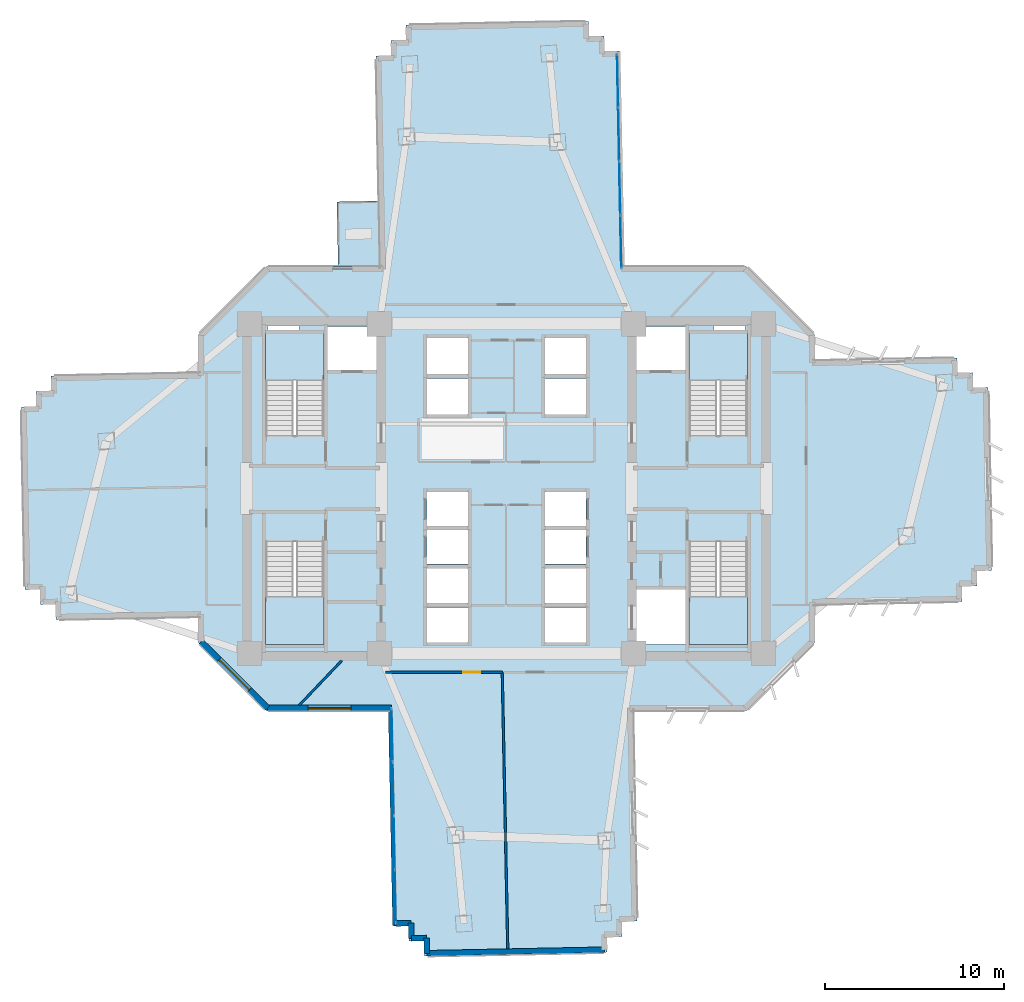
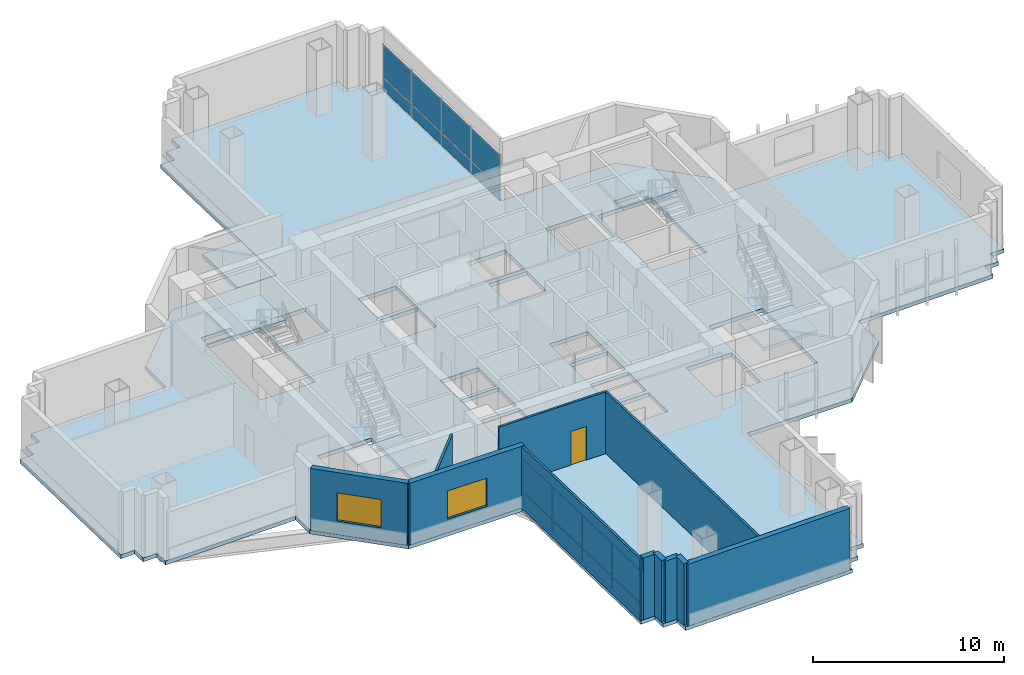
# One storey, part 5 of 15: 16 plates, 11 walls, 6 slabs, 2 windows, 1 door, 3 openings, 6 elements without a shape of their own.
"""IFC4 building model written with IfcOpenShell, lengths in metres."""

from ifc_helpers import new_model, si_unit, direction, frame, frame_2d, origin, origin_2d, place, context, subcontext, project, spatial, polyline, rectangle, outline, extrude, source, transform, mapped, material, layer, layer_set, type_object, element, fill, aggregate, save


model = new_model("IFC4")

# Units and contexts
model_context = context("Model", 3, precision=1e-05, world=origin(), true_north=direction((0.0, 1.0)))
body_context = subcontext(model_context, "Body", "Model", "MODEL_VIEW")
ifc_project = project(units=[si_unit("LENGTHUNIT", "METRE"), si_unit("AREAUNIT", "SQUARE_METRE"), si_unit("VOLUMEUNIT", "CUBIC_METRE"), si_unit("PLANEANGLEUNIT", "RADIAN"), si_unit("MASSUNIT", "GRAM", prefix="KILO")], contexts=[model_context])

# Site, building, storey
site_placement = place(None, origin())
site = spatial("IfcSite", under=ifc_project, at=site_placement, CompositionType="ELEMENT")
building_placement = place(site_placement, origin())
building = spatial("IfcBuilding", under=site, at=building_placement, Name="Zahravan Cultural Tower", CompositionType="ELEMENT")
storey_placement = place(building_placement, frame((0.0, 0.0, 41.699951171875)))
storey = spatial("IfcBuildingStorey", under=building, at=storey_placement, Name="L08", CompositionType="ELEMENT", Elevation=41.699951171875)

# Stair, slab
ifc_material_1 = material(Name="Concrete C45/55", Category="concrete")
stair_type = type_object("IfcStairType", Name="STR-DL-1550-420", PredefinedType="HALF_TURN_STAIR", material=ifc_material_1)
stair_1_placement = place(storey_placement, origin())
stair_1 = element("IfcStair", 1, at=stair_1_placement, inside=storey, type_object=stair_type, Name="L08 West Core North Exit Stair ST-W1", PredefinedType="HALF_TURN_STAIR")
ifc_layer_1 = layer(ifc_material_1, 0.199951171875)
ifc_layer_set_1 = layer_set([ifc_layer_1], Name="Concrete C45/55")
slab_type_1 = type_object("IfcSlabType", Name="SL-STAIR-LND200", PredefinedType="LANDING", material=ifc_layer_set_1)
slab_1_placement = place(storey_placement, frame((0.0, 0.0, 1.900146484375)))
slab_1 = element("IfcSlab", 2, at=slab_1_placement, type_object=slab_type_1, Name="ST-W1 landing 1", PredefinedType="LANDING", context=body_context, shape_type="SweptSolid", body=[
    extrude(outline(polyline([(25.800048828125, 33.030029296875), (25.800048828125, 35.699951171875), (22.550048828125, 35.699951171875), (22.550048828125, 33.030029296875), (25.800048828125, 33.030029296875)])), origin(), (0.0, 0.0, 1.0), 0.199951171875),
])
aggregate(stair_1, [slab_1])

stair_2_placement = place(storey_placement, origin())
stair_2 = element("IfcStair", 3, at=stair_2_placement, inside=storey, type_object=stair_type, Name="L08 West Core South Exit Stair ST-W2", PredefinedType="HALF_TURN_STAIR")
slab_2_placement = place(storey_placement, frame((0.0, 0.0, 1.900146484375)))
slab_2 = element("IfcSlab", 4, at=slab_2_placement, type_object=slab_type_1, Name="ST-W2 landing 1", PredefinedType="LANDING", context=body_context, shape_type="SweptSolid", body=[
    extrude(outline(polyline([(22.550048828125, 20.969970703125), (22.550048828125, 18.300048828125), (25.800048828125, 18.300048828125), (25.800048828125, 20.969970703125), (22.550048828125, 20.969970703125)])), origin(), (0.0, 0.0, 1.0), 0.199951171875),
])
aggregate(stair_2, [slab_2])

stair_3_placement = place(storey_placement, origin())
stair_3 = element("IfcStair", 5, at=stair_3_placement, inside=storey, type_object=stair_type, Name="L08 East Core North Exit Stair ST-E1", PredefinedType="HALF_TURN_STAIR")
slab_3_placement = place(storey_placement, frame((0.0, 0.0, 1.900146484375)))
slab_3 = element("IfcSlab", 6, at=slab_3_placement, type_object=slab_type_1, Name="ST-E1 landing 1", PredefinedType="LANDING", context=body_context, shape_type="SweptSolid", body=[
    extrude(outline(polyline([(49.449951171875, 33.030029296875), (49.449951171875, 35.699951171875), (46.199951171875, 35.699951171875), (46.199951171875, 33.030029296875), (49.449951171875, 33.030029296875)])), origin(), (0.0, 0.0, 1.0), 0.199951171875),
])
aggregate(stair_3, [slab_3])

stair_4_placement = place(storey_placement, origin())
stair_4 = element("IfcStair", 7, at=stair_4_placement, inside=storey, type_object=stair_type, Name="L08 East Core South Exit Stair ST-E2", PredefinedType="HALF_TURN_STAIR")
slab_4_placement = place(storey_placement, frame((0.0, 0.0, 1.900146484375)))
slab_4 = element("IfcSlab", 8, at=slab_4_placement, type_object=slab_type_1, Name="ST-E2 landing 1", PredefinedType="LANDING", context=body_context, shape_type="SweptSolid", body=[
    extrude(outline(polyline([(46.199951171875, 20.969970703125), (46.199951171875, 18.300048828125), (49.449951171875, 18.300048828125), (49.449951171875, 20.969970703125), (46.199951171875, 20.969970703125)])), origin(), (0.0, 0.0, 1.0), 0.199951171875),
])
aggregate(stair_4, [slab_4])

# Slabs
ifc_material_2 = material(Name="Concrete C40/50", Category="concrete")
ifc_layer_2 = layer(ifc_material_2, 0.239990234375)
ifc_layer_set_2 = layer_set([ifc_layer_2], Name="Concrete C40/50")
slab_type_2 = type_object("IfcSlabType", Name="SL-TERR-240", PredefinedType="FLOOR", material=ifc_layer_set_2)
slab_5_placement = place(storey_placement, frame((0.0, 0.0, -0.239990234375)))
element("IfcSlab", 9, at=slab_5_placement, inside=storey, type_object=slab_type_2, Name="L08 Planted Sculpture Terrace NW", PredefinedType="FLOOR", context=body_context, shape_type="SweptSolid", body=[
    extrude(outline(polyline([(26.529541015625, 43.014892578125), (26.601318359375, 39.405029296875), (28.94677734375, 39.405029296875), (28.8740234375, 43.061279296875), (26.529541015625, 43.014892578125)])), origin(), (0.0, 0.0, 1.0), 0.239990234375),
])
ifc_layer_3 = layer(ifc_material_2, 0.25)
ifc_layer_set_3 = layer_set([ifc_layer_3], Name="Concrete C40/50")
slab_type_3 = type_object("IfcSlabType", Name="SL-TYP-250", PredefinedType="FLOOR", material=ifc_layer_set_3)
slab_6_placement = place(storey_placement, frame((0.0, 0.0, -0.25)))
element("IfcSlab", 10, at=slab_6_placement, inside=storey, type_object=slab_type_3, Name="L08 Structural Floor Slab", PredefinedType="FLOOR", context=body_context, shape_type="SweptSolid", body=[
    extrude(outline(polyline([(53.199951171875, 34.1435546875), (53.199951171875, 35.60009765625), (49.39990234375, 39.39990234375), (42.5546875, 39.39990234375), (42.315185546875, 51.430419921875), (41.46533203125, 51.41357421875), (41.448486328125, 52.263427734375), (40.5986328125, 52.24658203125), (40.581787109375, 53.09619140625), (30.3837890625, 52.893310546875), (30.400634765625, 52.043701171875), (29.55078125, 52.026611328125), (29.567626953125, 51.1767578125), (28.718017578125, 51.159912109375), (28.951904296875, 39.39990234375), (22.60009765625, 39.39990234375), (18.800048828125, 35.60009765625), (18.800048828125, 33.458984375), (10.569580078125, 33.29541015625), (10.586669921875, 32.445556640625), (9.73681640625, 32.4287109375), (9.753662109375, 31.57861328125), (8.90380859375, 31.561767578125), (9.106689453125, 21.36376953125), (9.95654296875, 21.380615234375), (9.9736328125, 20.531005859375), (10.823486328125, 20.5478515625), (10.84033203125, 19.697998046875), (18.800048828125, 19.8564453125), (18.800048828125, 18.39990234375), (22.60009765625, 14.60009765625), (29.4453125, 14.60009765625), (29.684814453125, 2.569580078125), (30.53466796875, 2.58642578125), (30.551513671875, 1.736572265625), (31.4013671875, 1.75341796875), (31.418212890625, 0.90380859375), (41.6162109375, 1.106689453125), (41.599365234375, 1.956298828125), (42.44921875, 1.973388671875), (42.432373046875, 2.8232421875), (43.281982421875, 2.840087890625), (43.048095703125, 14.60009765625), (49.39990234375, 14.60009765625), (53.199951171875, 18.39990234375), (53.199951171875, 20.541015625), (61.430419921875, 20.70458984375), (61.413330078125, 21.554443359375), (62.26318359375, 21.5712890625), (62.246337890625, 22.42138671875), (63.09619140625, 22.438232421875), (62.893310546875, 32.63623046875), (62.04345703125, 32.619384765625), (62.0263671875, 33.468994140625), (61.176513671875, 33.4521484375), (61.15966796875, 34.302001953125), (53.199951171875, 34.1435546875)]), holes=[polyline([(22.550048828125, 29.949951171875), (22.550048828125, 35.699951171875), (25.800048828125, 35.699951171875), (25.800048828125, 29.949951171875), (22.550048828125, 29.949951171875)]), polyline([(22.550048828125, 18.300048828125), (22.550048828125, 24.050048828125), (25.800048828125, 24.050048828125), (25.800048828125, 18.300048828125), (22.550048828125, 18.300048828125)]), polyline([(46.199951171875, 29.949951171875), (46.199951171875, 35.699951171875), (49.449951171875, 35.699951171875), (49.449951171875, 29.949951171875), (46.199951171875, 29.949951171875)]), polyline([(46.199951171875, 18.300048828125), (46.199951171875, 24.050048828125), (49.449951171875, 24.050048828125), (49.449951171875, 18.300048828125), (46.199951171875, 18.300048828125)]), polyline([(26.0, 33.60009765625), (26.0, 36.050048828125), (28.75, 36.050048828125), (28.75, 33.60009765625), (26.0, 33.60009765625)]), polyline([(43.25, 33.60009765625), (43.25, 36.050048828125), (46.0, 36.050048828125), (46.0, 33.60009765625), (43.25, 33.60009765625)]), polyline([(43.25, 18.300048828125), (43.25, 21.35009765625), (46.0, 21.35009765625), (46.0, 18.300048828125), (43.25, 18.300048828125)]), polyline([(31.550048828125, 33.39990234375), (31.550048828125, 35.39990234375), (33.85009765625, 35.39990234375), (33.85009765625, 33.39990234375), (31.550048828125, 33.39990234375)]), polyline([(31.550048828125, 31.14990234375), (31.550048828125, 33.14990234375), (33.85009765625, 33.14990234375), (33.85009765625, 31.14990234375), (31.550048828125, 31.14990234375)]), polyline([(38.14990234375, 33.39990234375), (38.14990234375, 35.39990234375), (40.449951171875, 35.39990234375), (40.449951171875, 33.39990234375), (38.14990234375, 33.39990234375)]), polyline([(38.14990234375, 31.14990234375), (38.14990234375, 33.14990234375), (40.449951171875, 33.14990234375), (40.449951171875, 31.14990234375), (38.14990234375, 31.14990234375)]), polyline([(31.550048828125, 20.60009765625), (31.550048828125, 22.550048828125), (33.85009765625, 22.550048828125), (33.85009765625, 20.60009765625), (31.550048828125, 20.60009765625)]), polyline([(31.550048828125, 18.39990234375), (31.550048828125, 20.35009765625), (33.85009765625, 20.35009765625), (33.85009765625, 18.39990234375), (31.550048828125, 18.39990234375)]), polyline([(38.14990234375, 20.60009765625), (38.14990234375, 22.550048828125), (40.449951171875, 22.550048828125), (40.449951171875, 20.60009765625), (38.14990234375, 20.60009765625)]), polyline([(38.14990234375, 18.39990234375), (38.14990234375, 20.35009765625), (40.449951171875, 20.35009765625), (40.449951171875, 18.39990234375), (38.14990234375, 18.39990234375)]), polyline([(31.550048828125, 24.89990234375), (31.550048828125, 26.800048828125), (33.85009765625, 26.800048828125), (33.85009765625, 24.89990234375), (31.550048828125, 24.89990234375)]), polyline([(31.550048828125, 22.800048828125), (31.550048828125, 24.699951171875), (33.85009765625, 24.699951171875), (33.85009765625, 22.800048828125), (31.550048828125, 22.800048828125)]), polyline([(38.14990234375, 24.89990234375), (38.14990234375, 26.800048828125), (40.449951171875, 26.800048828125), (40.449951171875, 24.89990234375), (38.14990234375, 24.89990234375)]), polyline([(38.14990234375, 22.800048828125), (38.14990234375, 24.699951171875), (40.449951171875, 24.699951171875), (40.449951171875, 22.800048828125), (38.14990234375, 22.800048828125)]), polyline([(22.64990234375, 35.800048828125), (22.64990234375, 36.419921875), (24.449951171875, 36.419921875), (24.449951171875, 35.800048828125), (22.64990234375, 35.800048828125)]), polyline([(47.550048828125, 35.800048828125), (47.550048828125, 36.419921875), (49.35009765625, 36.419921875), (49.35009765625, 35.800048828125), (47.550048828125, 35.800048828125)])]), origin(), (0.0, 0.0, 1.0), 0.25),
])

# Curtain wall, plates
ifc_material_3 = material(Name="Anodised bronze-aluminium mullion", Category="aluminium")
ifc_layer_4 = layer(ifc_material_3, 0.179931640625)
ifc_layer_set_4 = layer_set([ifc_layer_4], Name="Anodised bronze-aluminium mullion")
curtain_wall_type_1 = type_object("IfcCurtainWallType", Name="CW-SYS-3", PredefinedType="USERDEFINED", material=ifc_layer_set_4)
curtain_wall_1_placement = place(storey_placement, origin())
curtain_wall_1 = element("IfcCurtainWall", 11, at=curtain_wall_1_placement, inside=storey, type_object=curtain_wall_type_1, Name="L08 Recessed Curtain Wall CW-3.1", ObjectType="RECESSED GLAZING", PredefinedType="USERDEFINED")
ifc_material_4 = material(Name="Low-E solar-control double glazing", Category="glass")
ifc_layer_5 = layer(ifc_material_4, 0.028076171875)
ifc_layer_set_5 = layer_set([ifc_layer_5], Name="Low-E solar-control double glazing")
plate_type_1 = type_object("IfcPlateType", Name="CWP-CW-3", PredefinedType="CURTAIN_PANEL", material=ifc_layer_set_5)
shared_shape_1 = source(origin(), body_context, "Body", "SweptSolid", [
    extrude(rectangle(XDim=2.902587890625, YDim=0.028076171875, at=origin_2d()), origin(), (0.0, 0.0, 1.0), 0.794921875),
])
plate_1_placement = place(storey_placement, frame((29.791748046875, 4.233154296875, 0.070068359375), z_axis=(0.0, 0.0, 1.0), x_axis=(-0.019900113269, 0.999801973139, 0.0)))
plate_1 = element("IfcPlate", 12, at=plate_1_placement, type_object=plate_type_1, Name="CW-3 panel 1.1", PredefinedType="CURTAIN_PANEL", context=body_context, shape_type="MappedRepresentation", body=[
    mapped(shared_shape_1, transform((0.0, 0.0, 0.0), x_axis=(1.0, 0.0, 0.0), y_axis=(0.0, 1.0, 0.0), z_axis=(0.0, 0.0, 1.0), scale=1.0)),
])
plate_2_placement = place(storey_placement, frame((29.61279296875, 13.218994140625, 0.070068359375), z_axis=(0.0, 0.0, 1.0), x_axis=(-0.019900113269, 0.999801973139, 0.0)))
plate_2 = element("IfcPlate", 13, at=plate_2_placement, type_object=plate_type_1, Name="CW-3 panel 4.1", PredefinedType="CURTAIN_PANEL", context=body_context, shape_type="MappedRepresentation", body=[
    mapped(shared_shape_1, transform((0.0, 0.0, 0.0), x_axis=(1.0, 0.0, 0.0), y_axis=(0.0, 1.0, 0.0), z_axis=(0.0, 0.0, 1.0), scale=1.0)),
])
shared_shape_2 = source(origin(), body_context, "Body", "SweptSolid", [
    extrude(rectangle(XDim=2.902587890625, YDim=0.028076171875, at=origin_2d()), origin(), (0.0, 0.0, 1.0), 2.06494140625),
])
plate_3_placement = place(storey_placement, frame((29.791748046875, 4.233154296875, 0.93505859375), z_axis=(0.0, 0.0, 1.0), x_axis=(-0.019900113269, 0.999801973139, 0.0)))
plate_3 = element("IfcPlate", 14, at=plate_3_placement, type_object=plate_type_1, Name="CW-3 panel 1.2", PredefinedType="CURTAIN_PANEL", context=body_context, shape_type="MappedRepresentation", body=[
    mapped(shared_shape_2, transform((0.0, 0.0, 0.0), x_axis=(1.0, 0.0, 0.0), y_axis=(0.0, 1.0, 0.0), z_axis=(0.0, 0.0, 1.0), scale=1.0)),
])
plate_4_placement = place(storey_placement, frame((29.61279296875, 13.218994140625, 0.93505859375), z_axis=(0.0, 0.0, 1.0), x_axis=(-0.019900113269, 0.999801973139, 0.0)))
plate_4 = element("IfcPlate", 15, at=plate_4_placement, type_object=plate_type_1, Name="CW-3 panel 4.2", PredefinedType="CURTAIN_PANEL", context=body_context, shape_type="MappedRepresentation", body=[
    mapped(shared_shape_2, transform((0.0, 0.0, 0.0), x_axis=(1.0, 0.0, 0.0), y_axis=(0.0, 1.0, 0.0), z_axis=(0.0, 0.0, 1.0), scale=1.0)),
])
shared_shape_3 = source(origin(), body_context, "Body", "SweptSolid", [
    extrude(rectangle(XDim=2.9375, YDim=0.028076171875, at=origin_2d()), origin(), (0.0, 0.0, 1.0), 0.794921875),
])
plate_5_placement = place(storey_placement, frame((29.732177734375, 7.22265625, 0.070068359375), z_axis=(0.0, 0.0, 1.0), x_axis=(-0.019900113269, 0.999801973139, 0.0)))
plate_5 = element("IfcPlate", 16, at=plate_5_placement, type_object=plate_type_1, Name="CW-3 panel 2.1", PredefinedType="CURTAIN_PANEL", context=body_context, shape_type="MappedRepresentation", body=[
    mapped(shared_shape_3, transform((0.0, 0.0, 0.0), x_axis=(1.0, 0.0, 0.0), y_axis=(0.0, 1.0, 0.0), z_axis=(0.0, 0.0, 1.0), scale=1.0)),
])
plate_6_placement = place(storey_placement, frame((29.67236328125, 10.2294921875, 0.070068359375), z_axis=(0.0, 0.0, 1.0), x_axis=(-0.019900113269, 0.999801973139, 0.0)))
plate_6 = element("IfcPlate", 17, at=plate_6_placement, type_object=plate_type_1, Name="CW-3 panel 3.1", PredefinedType="CURTAIN_PANEL", context=body_context, shape_type="MappedRepresentation", body=[
    mapped(shared_shape_3, transform((0.0, 0.0, 0.0), x_axis=(1.0, 0.0, 0.0), y_axis=(0.0, 1.0, 0.0), z_axis=(0.0, 0.0, 1.0), scale=1.0)),
])
shared_shape_4 = source(origin(), body_context, "Body", "SweptSolid", [
    extrude(rectangle(XDim=2.9375, YDim=0.028076171875, at=origin_2d()), origin(), (0.0, 0.0, 1.0), 2.06494140625),
])
plate_7_placement = place(storey_placement, frame((29.732177734375, 7.22265625, 0.93505859375), z_axis=(0.0, 0.0, 1.0), x_axis=(-0.019900113269, 0.999801973139, 0.0)))
plate_7 = element("IfcPlate", 18, at=plate_7_placement, type_object=plate_type_1, Name="CW-3 panel 2.2", PredefinedType="CURTAIN_PANEL", context=body_context, shape_type="MappedRepresentation", body=[
    mapped(shared_shape_4, transform((0.0, 0.0, 0.0), x_axis=(1.0, 0.0, 0.0), y_axis=(0.0, 1.0, 0.0), z_axis=(0.0, 0.0, 1.0), scale=1.0)),
])
plate_8_placement = place(storey_placement, frame((29.67236328125, 10.2294921875, 0.93505859375), z_axis=(0.0, 0.0, 1.0), x_axis=(-0.019900113269, 0.999801973139, 0.0)))
plate_8 = element("IfcPlate", 19, at=plate_8_placement, type_object=plate_type_1, Name="CW-3 panel 3.2", PredefinedType="CURTAIN_PANEL", context=body_context, shape_type="MappedRepresentation", body=[
    mapped(shared_shape_4, transform((0.0, 0.0, 0.0), x_axis=(1.0, 0.0, 0.0), y_axis=(0.0, 1.0, 0.0), z_axis=(0.0, 0.0, 1.0), scale=1.0)),
])
aggregate(curtain_wall_1, [plate_1, plate_3, plate_5, plate_7, plate_6, plate_8, plate_2, plate_4])

ifc_layer_6 = layer(ifc_material_3, 0.1650390625)
ifc_layer_set_6 = layer_set([ifc_layer_6], Name="Anodised bronze-aluminium mullion")
curtain_wall_type_2 = type_object("IfcCurtainWallType", Name="CW-SYS-4", PredefinedType="USERDEFINED", material=ifc_layer_set_6)
curtain_wall_2_placement = place(storey_placement, origin())
curtain_wall_2 = element("IfcCurtainWall", 20, at=curtain_wall_2_placement, inside=storey, type_object=curtain_wall_type_2, Name="L08 Recessed Curtain Wall CW-4.2", ObjectType="RECESSED GLAZING", PredefinedType="USERDEFINED")
ifc_layer_7 = layer(ifc_material_4, 0.02587890625)
ifc_layer_set_7 = layer_set([ifc_layer_7], Name="Low-E solar-control double glazing")
plate_type_2 = type_object("IfcPlateType", Name="CWP-CW-4", PredefinedType="CURTAIN_PANEL", material=ifc_layer_set_7)
shared_shape_5 = source(origin(), body_context, "Body", "SweptSolid", [
    extrude(rectangle(XDim=2.909912109375, YDim=0.02587890625, at=origin_2d()), origin(), (0.0, 0.0, 1.0), 0.802490234375),
])
plate_9_placement = place(storey_placement, frame((42.208251953125, 49.76806640625, 0.06494140625), z_axis=(0.0, 0.0, 1.0), x_axis=(0.019900113269, -0.999801973139, 0.0)))
plate_9 = element("IfcPlate", 21, at=plate_9_placement, type_object=plate_type_2, Name="CW-4 panel 1.1", PredefinedType="CURTAIN_PANEL", context=body_context, shape_type="MappedRepresentation", body=[
    mapped(shared_shape_5, transform((0.0, 0.0, 0.0), x_axis=(1.0, 0.0, 0.0), y_axis=(0.0, 1.0, 0.0), z_axis=(0.0, 0.0, 1.0), scale=1.0)),
])
plate_10_placement = place(storey_placement, frame((42.38720703125, 40.77978515625, 0.06494140625), z_axis=(0.0, 0.0, 1.0), x_axis=(0.019900113269, -0.999801973139, 0.0)))
plate_10 = element("IfcPlate", 22, at=plate_10_placement, type_object=plate_type_2, Name="CW-4 panel 4.1", PredefinedType="CURTAIN_PANEL", context=body_context, shape_type="MappedRepresentation", body=[
    mapped(shared_shape_5, transform((0.0, 0.0, 0.0), x_axis=(1.0, 0.0, 0.0), y_axis=(0.0, 1.0, 0.0), z_axis=(0.0, 0.0, 1.0), scale=1.0)),
])
shared_shape_6 = source(origin(), body_context, "Body", "SweptSolid", [
    extrude(rectangle(XDim=2.909912109375, YDim=0.02587890625, at=origin_2d()), origin(), (0.0, 0.0, 1.0), 2.072509765625),
])
plate_11_placement = place(storey_placement, frame((42.208251953125, 49.76806640625, 0.9326171875), z_axis=(0.0, 0.0, 1.0), x_axis=(0.019900113269, -0.999801973139, 0.0)))
plate_11 = element("IfcPlate", 23, at=plate_11_placement, type_object=plate_type_2, Name="CW-4 panel 1.2", PredefinedType="CURTAIN_PANEL", context=body_context, shape_type="MappedRepresentation", body=[
    mapped(shared_shape_6, transform((0.0, 0.0, 0.0), x_axis=(1.0, 0.0, 0.0), y_axis=(0.0, 1.0, 0.0), z_axis=(0.0, 0.0, 1.0), scale=1.0)),
])
plate_12_placement = place(storey_placement, frame((42.38720703125, 40.77978515625, 0.9326171875), z_axis=(0.0, 0.0, 1.0), x_axis=(0.019900113269, -0.999801973139, 0.0)))
plate_12 = element("IfcPlate", 24, at=plate_12_placement, type_object=plate_type_2, Name="CW-4 panel 4.2", PredefinedType="CURTAIN_PANEL", context=body_context, shape_type="MappedRepresentation", body=[
    mapped(shared_shape_6, transform((0.0, 0.0, 0.0), x_axis=(1.0, 0.0, 0.0), y_axis=(0.0, 1.0, 0.0), z_axis=(0.0, 0.0, 1.0), scale=1.0)),
])
shared_shape_7 = source(origin(), body_context, "Body", "SweptSolid", [
    extrude(rectangle(XDim=2.942626953125, YDim=0.02587890625, at=origin_2d()), origin(), (0.0, 0.0, 1.0), 0.802490234375),
])
plate_13_placement = place(storey_placement, frame((42.267822265625, 46.77734375, 0.06494140625), z_axis=(0.0, 0.0, 1.0), x_axis=(0.019900113269, -0.999801973139, 0.0)))
plate_13 = element("IfcPlate", 25, at=plate_13_placement, type_object=plate_type_2, Name="CW-4 panel 2.1", PredefinedType="CURTAIN_PANEL", context=body_context, shape_type="MappedRepresentation", body=[
    mapped(shared_shape_7, transform((0.0, 0.0, 0.0), x_axis=(1.0, 0.0, 0.0), y_axis=(0.0, 1.0, 0.0), z_axis=(0.0, 0.0, 1.0), scale=1.0)),
])
plate_14_placement = place(storey_placement, frame((42.32763671875, 43.7705078125, 0.06494140625), z_axis=(0.0, 0.0, 1.0), x_axis=(0.019900113269, -0.999801973139, 0.0)))
plate_14 = element("IfcPlate", 26, at=plate_14_placement, type_object=plate_type_2, Name="CW-4 panel 3.1", PredefinedType="CURTAIN_PANEL", context=body_context, shape_type="MappedRepresentation", body=[
    mapped(shared_shape_7, transform((0.0, 0.0, 0.0), x_axis=(1.0, 0.0, 0.0), y_axis=(0.0, 1.0, 0.0), z_axis=(0.0, 0.0, 1.0), scale=1.0)),
])
shared_shape_8 = source(origin(), body_context, "Body", "SweptSolid", [
    extrude(rectangle(XDim=2.942626953125, YDim=0.02587890625, at=origin_2d()), origin(), (0.0, 0.0, 1.0), 2.072509765625),
])
plate_15_placement = place(storey_placement, frame((42.267822265625, 46.77734375, 0.9326171875), z_axis=(0.0, 0.0, 1.0), x_axis=(0.019900113269, -0.999801973139, 0.0)))
plate_15 = element("IfcPlate", 27, at=plate_15_placement, type_object=plate_type_2, Name="CW-4 panel 2.2", PredefinedType="CURTAIN_PANEL", context=body_context, shape_type="MappedRepresentation", body=[
    mapped(shared_shape_8, transform((0.0, 0.0, 0.0), x_axis=(1.0, 0.0, 0.0), y_axis=(0.0, 1.0, 0.0), z_axis=(0.0, 0.0, 1.0), scale=1.0)),
])
plate_16_placement = place(storey_placement, frame((42.32763671875, 43.7705078125, 0.9326171875), z_axis=(0.0, 0.0, 1.0), x_axis=(0.019900113269, -0.999801973139, 0.0)))
plate_16 = element("IfcPlate", 28, at=plate_16_placement, type_object=plate_type_2, Name="CW-4 panel 3.2", PredefinedType="CURTAIN_PANEL", context=body_context, shape_type="MappedRepresentation", body=[
    mapped(shared_shape_8, transform((0.0, 0.0, 0.0), x_axis=(1.0, 0.0, 0.0), y_axis=(0.0, 1.0, 0.0), z_axis=(0.0, 0.0, 1.0), scale=1.0)),
])
aggregate(curtain_wall_2, [plate_9, plate_11, plate_13, plate_15, plate_14, plate_16, plate_10, plate_12])

# Wall, opening, window
ifc_material_5 = material(Name="Precast concrete C40/50", Category="concrete")
ifc_layer_8 = layer(ifc_material_5, 0.320068359375)
ifc_layer_set_8 = layer_set([ifc_layer_8], Name="Precast concrete C40/50")
wall_type_1 = type_object("IfcWallType", Name="EW-TC-320", PredefinedType="SOLIDWALL", material=ifc_layer_set_8)
wall_1_placement = place(storey_placement, frame((29.58251953125, 14.739990234375, 0.0), z_axis=(0.0, 0.0, 1.0), x_axis=(-1.0, 0.0, 0.0)))
wall_1 = element("IfcWall", 29, at=wall_1_placement, inside=storey, type_object=wall_type_1, Name="L08 Exterior Masonry Frame Wall 25", PredefinedType="SOLIDWALL", context=body_context, shape_type="SweptSolid", body=[
    extrude(rectangle(XDim=6.924560546875, YDim=0.320068359375, at=frame_2d((3.46240234375, 0.0))), origin(), (0.0, 0.0, 1.0), 3.949951171875),
])
opening_1_placement = place(wall_1_placement, frame((2.261962890625, 0.0, 0.85009765625)))
opening_1 = element("IfcOpeningElement", 30, at=opening_1_placement, cuts=wall_1, Name="Opening WN-01", PredefinedType="OPENING", context=body_context, shape_type="SweptSolid", body=[
    extrude(rectangle(XDim=2.39990234375, YDim=1.800048828125, at=frame_2d((1.199951171875, 0.89990234375))), frame((0.0, 0.169921875, 0.0), z_axis=(0.0, -1.0, 0.0), x_axis=(1.0, 0.0, 0.0)), (0.0, 0.0, 1.0), 0.340087890625),
])
window_type = type_object("IfcWindowType", Name="WN-REC-2400X1800", PartitioningType="DOUBLE_PANEL_VERTICAL", PredefinedType="WINDOW", material=ifc_material_4)
shared_shape_9 = source(origin(), body_context, "Body", "SweptSolid", [
    extrude(rectangle(XDim=2.39990234375, YDim=1.800048828125, at=frame_2d((1.199951171875, 0.89990234375))), frame((0.0, 0.030029296875, 0.0), z_axis=(0.0, -1.0, 0.0), x_axis=(1.0, 0.0, 0.0)), (0.0, 0.0, 1.0), 0.06005859375),
])
window_1_placement = place(opening_1_placement, origin())
window_1 = element("IfcWindow", 31, at=window_1_placement, inside=storey, type_object=window_type, Name="L08 Recessed Solar Window 07", OverallHeight=1.800048828125, OverallWidth=2.39990234375, PartitioningType="DOUBLE_PANEL_VERTICAL", PredefinedType="WINDOW", context=body_context, shape_type="MappedRepresentation", body=[
    mapped(shared_shape_9, transform((0.0, 0.0, 0.0), x_axis=(1.0, 0.0, 0.0), y_axis=(0.0, 1.0, 0.0), z_axis=(0.0, 0.0, 1.0), scale=1.0)),
])
fill(opening_1, window_1)

wall_2_placement = place(storey_placement, frame((22.657958984375, 14.739990234375, 0.0), z_axis=(0.0, 0.0, 1.0), x_axis=(-0.707106781187, 0.707106781187, 0.0)))
wall_2 = element("IfcWall", 32, at=wall_2_placement, inside=storey, type_object=wall_type_1, Name="L08 Exterior Masonry Frame Wall 26", PredefinedType="SOLIDWALL", context=body_context, shape_type="SweptSolid", body=[
    extrude(rectangle(XDim=5.258056640625, YDim=0.320068359375, at=frame_2d((2.62890625, 0.0))), origin(), (0.0, 0.0, 1.0), 3.949951171875),
])
opening_2_placement = place(wall_2_placement, frame((1.428955078125, 0.0, 0.85009765625)))
opening_2 = element("IfcOpeningElement", 33, at=opening_2_placement, cuts=wall_2, Name="Opening WN-01", PredefinedType="OPENING", context=body_context, shape_type="SweptSolid", body=[
    extrude(rectangle(XDim=2.39990234375, YDim=1.800048828125, at=frame_2d((1.199951171875, 0.89990234375))), frame((0.0, 0.169921875, 0.0), z_axis=(0.0, -1.0, 0.0), x_axis=(1.0, 0.0, 0.0)), (0.0, 0.0, 1.0), 0.340087890625),
])
window_2_placement = place(opening_2_placement, origin())
window_2 = element("IfcWindow", 34, at=window_2_placement, inside=storey, type_object=window_type, Name="L08 Recessed Solar Window 08", OverallHeight=1.800048828125, OverallWidth=2.39990234375, PartitioningType="DOUBLE_PANEL_VERTICAL", PredefinedType="WINDOW", context=body_context, shape_type="MappedRepresentation", body=[
    mapped(shared_shape_9, transform((0.0, 0.0, 0.0), x_axis=(1.0, 0.0, 0.0), y_axis=(0.0, 1.0, 0.0), z_axis=(0.0, 0.0, 1.0), scale=1.0)),
])
fill(opening_2, window_2)

# Wall, opening, door
ifc_material_6 = material(Name="Gypsum plasterboard partition")
ifc_layer_9 = layer(ifc_material_6, 0.125)
ifc_layer_set_9 = layer_set([ifc_layer_9], Name="Gypsum plasterboard partition")
wall_type_2 = type_object("IfcWallType", Name="W-PART-125", PredefinedType="PARTITIONING", material=ifc_layer_set_9)
wall_3_placement = place(storey_placement, frame((29.257568359375, 16.740234375, 0.0), z_axis=(0.0, 0.0, 1.0), x_axis=(0.999999999296, -3.7522044e-05, 0.0)))
wall_3 = element("IfcWall", 35, at=wall_3_placement, inside=storey, type_object=wall_type_2, Name="L08 Interior Wall 093", PredefinedType="PARTITIONING", context=body_context, shape_type="SweptSolid", body=[
    extrude(rectangle(XDim=6.506591796875, YDim=0.125, at=frame_2d((3.25341796875, 0.0))), origin(), (0.0, 0.0, 1.0), 3.949951171875),
])
opening_3_placement = place(wall_3_placement, frame((4.333984375, 0.0, 0.0)))
opening_3 = element("IfcOpeningElement", 36, at=opening_3_placement, cuts=wall_3, Name="Opening D-L08-23", PredefinedType="OPENING", context=body_context, shape_type="SweptSolid", body=[
    extrude(rectangle(XDim=0.949951171875, YDim=2.14990234375, at=frame_2d((0.47509765625, 1.074951171875))), frame((0.0, 0.072509765625, 0.0), z_axis=(0.0, -1.0, 0.0), x_axis=(1.0, 0.0, 0.0)), (0.0, 0.0, 1.0), 0.14501953125),
])
door_type = type_object("IfcDoorType", Name="DR-ROOM-950", OperationType="NOTDEFINED", PredefinedType="DOOR", material=ifc_material_3)
shared_shape_10 = source(origin(), body_context, "Body", "SweptSolid", [
    extrude(rectangle(XDim=0.949951171875, YDim=2.14990234375, at=frame_2d((0.47509765625, 1.074951171875))), frame((0.0, 0.02490234375, 0.0), z_axis=(0.0, -1.0, 0.0), x_axis=(1.0, 0.0, 0.0)), (0.0, 0.0, 1.0), 0.050048828125),
])
door_placement = place(opening_3_placement, origin())
door = element("IfcDoor", 37, at=door_placement, inside=storey, type_object=door_type, Name="L08 Door D-L08-23", OperationType="SINGLE_SWING_RIGHT", OverallHeight=2.14990234375, OverallWidth=0.949951171875, PredefinedType="DOOR", context=body_context, shape_type="MappedRepresentation", body=[
    mapped(shared_shape_10, transform((0.0, 0.0, 0.0), x_axis=(1.0, 0.0, 0.0), y_axis=(0.0, 1.0, 0.0), z_axis=(0.0, 0.0, 1.0), scale=1.0)),
])
fill(opening_3, door)

# Walls
shared_shape_11 = source(origin(), body_context, "Body", "SweptSolid", [
    extrude(rectangle(XDim=0.85009765625, YDim=0.320068359375, at=frame_2d((0.425048828125, 0.0))), origin(), (0.0, 0.0, 1.0), 3.949951171875),
])
for number, where, z_axis, x_axis, name in (
    (38, (31.555419921875, 1.04638671875, 0.0), (0.0, 0.0, 1.0), (-0.019817997326, 0.999803604205, 0.0), "L08 Exterior Masonry Frame Wall 21"),
    (39, (31.53857421875, 1.896240234375, 0.0), (0.0, 0.0, 1.0), (-0.999803604205, -0.019817997326, 0.0), "L08 Exterior Masonry Frame Wall 22"),
    (40, (30.688720703125, 1.87939453125, 0.0), (0.0, 0.0, 1.0), (-0.019817997326, 0.999803604205, 0.0), "L08 Exterior Masonry Frame Wall 23"),
    (41, (30.671875, 2.729248046875, 0.0), (0.0, 0.0, 1.0), (-0.999803604205, -0.019817997326, 0.0), "L08 Exterior Masonry Frame Wall 24"),
):
    element("IfcWall", number, at=place(storey_placement, frame(where, z_axis=z_axis, x_axis=x_axis)), inside=storey, type_object=wall_type_1, Name=name, PredefinedType="SOLIDWALL", context=body_context, shape_type="MappedRepresentation", body=[
        mapped(shared_shape_11, transform((0.0, 0.0, 0.0), x_axis=(1.0, 0.0, 0.0), y_axis=(0.0, 1.0, 0.0), z_axis=(0.0, 0.0, 1.0), scale=1.0)),
    ])
shared_shape_12 = source(origin(), body_context, "Body", "SweptSolid", [
    extrude(rectangle(XDim=9.919921875, YDim=0.320068359375, at=frame_2d((4.9599609375, 0.0))), origin(), (0.0, 0.0, 1.0), 3.949951171875),
])
wall_4_placement = place(storey_placement, frame((41.473388671875, 1.243896484375, 0.0), z_axis=(0.0, 0.0, 1.0), x_axis=(-0.999801768563, -0.019910388705, 0.0)))
element("IfcWall", 42, at=wall_4_placement, inside=storey, type_object=wall_type_1, Name="L08 Exterior Masonry Frame Wall 20", PredefinedType="SOLIDWALL", context=body_context, shape_type="MappedRepresentation", body=[
    mapped(shared_shape_12, transform((0.0, 0.0, 0.0), x_axis=(1.0, 0.0, 0.0), y_axis=(0.0, 1.0, 0.0), z_axis=(0.0, 0.0, 1.0), scale=1.0)),
])
shared_shape_13 = source(origin(), body_context, "Body", "SweptSolid", [
    extrude(rectangle(XDim=3.437744140625, YDim=0.125, at=frame_2d((1.71875, 0.0))), origin(), (0.0, 0.0, 1.0), 3.949951171875),
])
wall_5_placement = place(storey_placement, frame((26.80322265625, 17.39501953125, 0.0), z_axis=(0.0, 0.0, 1.0), x_axis=(-0.689493786127, -0.724291597972, 0.0)))
element("IfcWall", 43, at=wall_5_placement, inside=storey, type_object=wall_type_2, Name="L08 Interior Wall 092", PredefinedType="PARTITIONING", context=body_context, shape_type="MappedRepresentation", body=[
    mapped(shared_shape_13, transform((0.0, 0.0, 0.0), x_axis=(1.0, 0.0, 0.0), y_axis=(0.0, 1.0, 0.0), z_axis=(0.0, 0.0, 1.0), scale=1.0)),
])
shared_shape_14 = source(origin(), body_context, "Body", "SweptSolid", [
    extrude(rectangle(XDim=15.441650390625, YDim=0.125, at=frame_2d((7.720703125, 0.0))), origin(), (0.0, 0.0, 1.0), 3.949951171875),
])
wall_6_placement = place(storey_placement, frame((35.76416015625, 16.739990234375, 0.0), z_axis=(0.0, 0.0, 1.0), x_axis=(0.01988979601, -0.999802178441, 0.0)))
element("IfcWall", 44, at=wall_6_placement, inside=storey, type_object=wall_type_2, Name="L08 Interior Wall 094", PredefinedType="PARTITIONING", context=body_context, shape_type="MappedRepresentation", body=[
    mapped(shared_shape_14, transform((0.0, 0.0, 0.0), x_axis=(1.0, 0.0, 0.0), y_axis=(0.0, 1.0, 0.0), z_axis=(0.0, 0.0, 1.0), scale=1.0)),
])
shared_shape_15 = source(origin(), body_context, "Body", "SweptSolid", [
    extrude(rectangle(XDim=11.987548828125, YDim=0.125, at=frame_2d((5.99365234375, 0.0))), origin(), (0.0, 0.0, 1.0), 3.949951171875),
])
wall_7_placement = place(storey_placement, frame((29.704345703125, 2.58984375, 0.0), z_axis=(0.0, 0.0, 1.0), x_axis=(-0.020060739884, 0.99979876311, 0.0)))
element("IfcWall", 45, at=wall_7_placement, inside=storey, type_object=wall_type_2, Name="L08 Interior Wall 095", PredefinedType="PARTITIONING", context=body_context, shape_type="MappedRepresentation", body=[
    mapped(shared_shape_15, transform((0.0, 0.0, 0.0), x_axis=(1.0, 0.0, 0.0), y_axis=(0.0, 1.0, 0.0), z_axis=(0.0, 0.0, 1.0), scale=1.0)),
])

save(model, "model.ifc")
